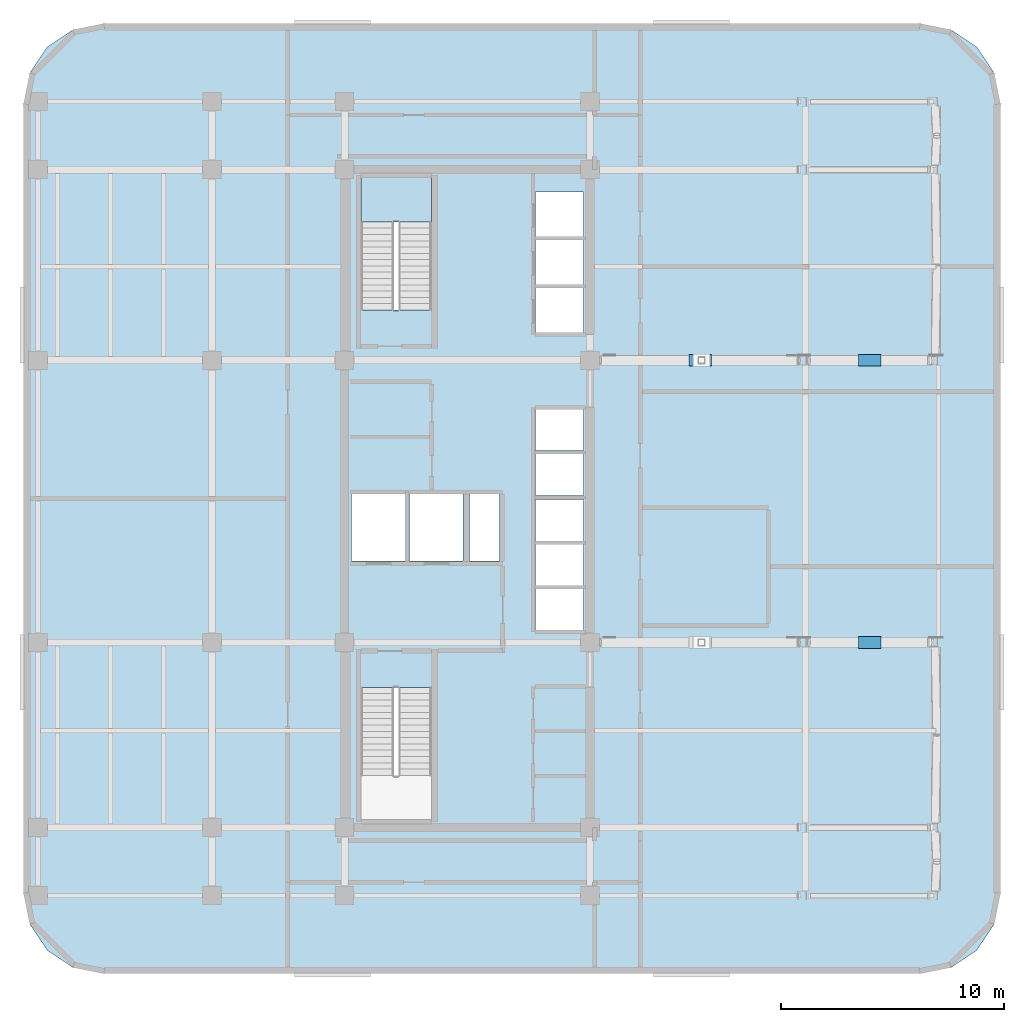
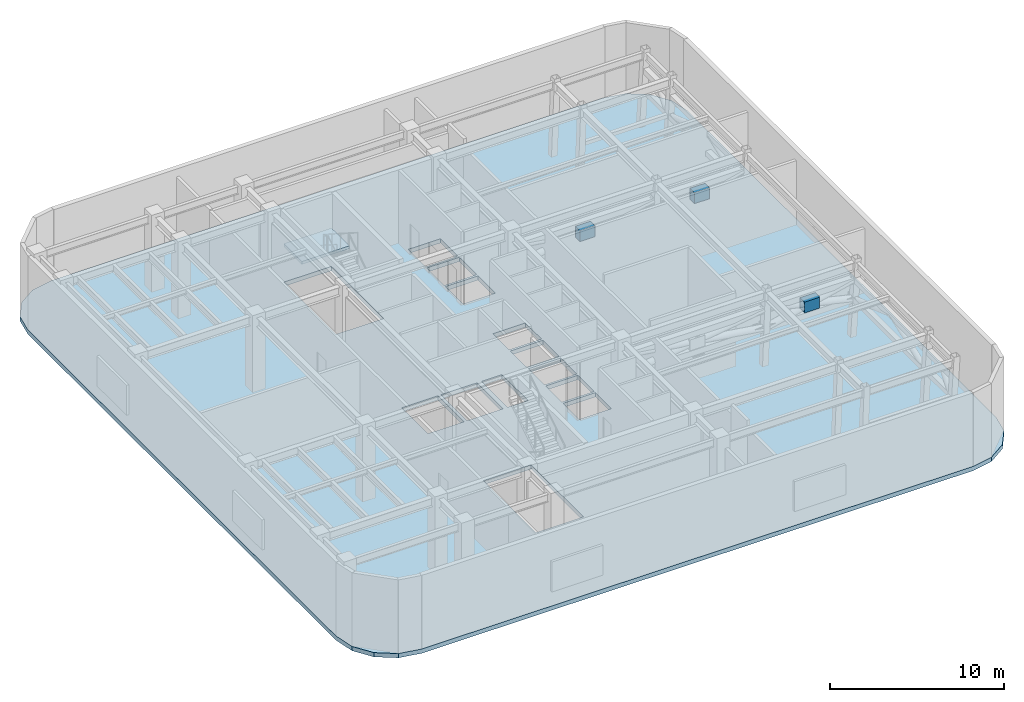
# One storey, part 4 of 12: 3 plates, 2 slabs, 1 element without a shape of its own.
"""IFC4 building model written with IfcOpenShell, lengths in metres."""

from ifc_helpers import new_model, si_unit, direction, frame, origin, origin_2d, place, context, subcontext, project, spatial, polyline, rectangle, outline, extrude, material, layer, layer_set, type_object, element, aggregate, save


model = new_model("IFC4")

# Units and contexts
model_context = context("Model", 3, precision=1e-05, world=origin(), true_north=direction((0.0, 1.0)))
body_context = subcontext(model_context, "Body", "Model", "MODEL_VIEW")
ifc_project = project(units=[si_unit("LENGTHUNIT", "METRE"), si_unit("AREAUNIT", "SQUARE_METRE"), si_unit("VOLUMEUNIT", "CUBIC_METRE"), si_unit("PLANEANGLEUNIT", "RADIAN"), si_unit("MASSUNIT", "GRAM", prefix="KILO")], contexts=[model_context])

# Site, building, storey
site_placement = place(None, origin())
site = spatial("IfcSite", under=ifc_project, at=site_placement, CompositionType="ELEMENT")
building_placement = place(site_placement, origin())
building = spatial("IfcBuilding", under=site, at=building_placement, Name="Ochreholt Gables", CompositionType="ELEMENT")
storey_placement = place(building_placement, frame((0.0, 0.0, 135.60009765625)))
storey = spatial("IfcBuildingStorey", under=building, at=storey_placement, Name="L35", CompositionType="ELEMENT", Elevation=135.60009765625)

# Stair, slab
ifc_material_1 = material(Name="Concrete 40 MPa", Category="concrete")
stair_type = type_object("IfcStairType", Name="STAIR-CORE-ST-2", PredefinedType="HALF_TURN_STAIR", material=ifc_material_1)
stair_placement = place(storey_placement, origin())
stair = element("IfcStair", 1, at=stair_placement, inside=storey, type_object=stair_type, Name="L35 Core Exit Stair 2", PredefinedType="HALF_TURN_STAIR")
ifc_layer_1 = layer(ifc_material_1, 0.199951171875, Name="Concrete 40 MPa")
ifc_layer_set_1 = layer_set([ifc_layer_1], Name="Concrete 40 MPa")
slab_type_1 = type_object("IfcSlabType", Name="LANDING-RC200", PredefinedType="LANDING", material=ifc_layer_set_1)
slab_1_placement = place(storey_placement, frame((0.0, 0.0, 2.5)))
slab_1 = element("IfcSlab", 2, at=slab_1_placement, type_object=slab_type_1, Name="ST-2 landing 1", PredefinedType="LANDING", context=body_context, shape_type="SweptSolid", body=[
    extrude(outline(polyline([(28.080078125, 36.407958984375), (28.080078125, 38.47998046875), (24.919921875, 38.47998046875), (24.919921875, 36.407958984375), (28.080078125, 36.407958984375)])), origin(), (0.0, 0.0, 1.0), 0.199951171875),
])
aggregate(stair, [slab_1])

# Plates
ifc_material_2 = material(Name="Steel CSA G40.21 350W", Category="steel")
ifc_layer_2 = layer(ifc_material_2, 0.0380859375, Name="Steel CSA G40.21 350W")
ifc_layer_set_2 = layer_set([ifc_layer_2], Name="Steel CSA G40.21 350W")
plate_type = type_object("IfcPlateType", Name="PLT-GUSSET-38", PredefinedType="USERDEFINED", material=ifc_layer_set_2)
for number, where, z_axis, x_axis, name in (
    (3, (47.74169921875, 17.550048828125, 2.87548828125), (0.0, 0.0, 1.0), (1.0, 0.0, 0.0), "L35 Outrigger X-Brace Crossing Node Gusset S2"),
    (4, (40.134033203125, 30.199951171875, 2.87841796875), (0.0, 0.0, 1.0), (1.0, 0.0, 0.0), "L35 Outrigger X-Brace Crossing Node Gusset N1"),
    (5, (47.74169921875, 30.199951171875, 2.87548828125), (0.0, 0.0, 1.0), (1.0, 0.0, 0.0), "L35 Outrigger X-Brace Crossing Node Gusset N2"),
):
    element("IfcPlate", number, at=place(storey_placement, frame(where, z_axis=z_axis, x_axis=x_axis)), inside=storey, type_object=plate_type, Name=name, ObjectType="GUSSET PLATE", PredefinedType="USERDEFINED", context=body_context, shape_type="SweptSolid", body=[
        extrude(rectangle(XDim=1.0, YDim=0.52001953125, at=origin_2d()), origin(), (0.0, 0.0, 1.0), 0.760009765625),
    ])

# Slab
ifc_material_3 = material(Name="Concrete 50 MPa", Category="concrete")
ifc_layer_3 = layer(ifc_material_3, 0.300048828125, Name="Concrete 50 MPa")
ifc_layer_set_3 = layer_set([ifc_layer_3], Name="Concrete 50 MPa")
slab_type_2 = type_object("IfcSlabType", Name="SLAB-TRN-300", PredefinedType="FLOOR", material=ifc_layer_set_3)
slab_2_placement = place(storey_placement, frame((0.0, 0.0, -0.300048828125)))
element("IfcSlab", 6, at=slab_2_placement, inside=storey, type_object=slab_type_2, Name="L35 Structural Floor Slab", PredefinedType="FLOOR", context=body_context, shape_type="SweptSolid", body=[
    extrude(outline(polyline([(9.800048828125, 6.300048828125), (10.073974609375, 4.92236328125), (10.8544921875, 3.75439453125), (12.022216796875, 2.97412109375), (13.39990234375, 2.699951171875), (50.0, 2.699951171875), (51.377685546875, 2.97412109375), (52.545654296875, 3.75439453125), (53.325927734375, 4.92236328125), (53.60009765625, 6.300048828125), (53.60009765625, 41.699951171875), (53.325927734375, 43.07763671875), (52.545654296875, 44.24560546875), (51.377685546875, 45.02587890625), (50.0, 45.300048828125), (13.39990234375, 45.300048828125), (12.022216796875, 45.02587890625), (10.8544921875, 44.24560546875), (10.073974609375, 43.07763671875), (9.800048828125, 41.699951171875), (9.800048828125, 6.300048828125)]), holes=[polyline([(24.919921875, 15.539306640625), (24.919921875, 9.52001953125), (28.080078125, 9.52001953125), (28.080078125, 15.539306640625), (24.919921875, 15.539306640625)]), polyline([(28.080078125, 32.460693359375), (28.080078125, 38.47998046875), (24.919921875, 38.47998046875), (24.919921875, 32.460693359375), (28.080078125, 32.460693359375)]), polyline([(24.5, 21.199951171875), (26.89990234375, 21.199951171875), (26.89990234375, 24.199951171875), (24.5, 24.199951171875), (24.5, 21.199951171875)]), polyline([(27.10009765625, 21.199951171875), (29.5, 21.199951171875), (29.5, 24.199951171875), (27.10009765625, 24.199951171875), (27.10009765625, 21.199951171875)]), polyline([(32.75, 18.10009765625), (34.89990234375, 18.10009765625), (34.89990234375, 19.949951171875), (32.75, 19.949951171875), (32.75, 18.10009765625)]), polyline([(32.75, 20.10009765625), (34.89990234375, 20.10009765625), (34.89990234375, 21.949951171875), (32.75, 21.949951171875), (32.75, 20.10009765625)]), polyline([(32.75, 22.10009765625), (34.89990234375, 22.10009765625), (34.89990234375, 23.949951171875), (32.75, 23.949951171875), (32.75, 22.10009765625)]), polyline([(32.75, 24.14990234375), (34.89990234375, 24.14990234375), (34.89990234375, 26.0), (32.75, 26.0), (32.75, 24.14990234375)]), polyline([(32.75, 26.14990234375), (34.89990234375, 26.14990234375), (34.89990234375, 28.0), (32.75, 28.0), (32.75, 26.14990234375)]), polyline([(32.75, 31.449951171875), (34.89990234375, 31.449951171875), (34.89990234375, 33.449951171875), (32.75, 33.449951171875), (32.75, 31.449951171875)]), polyline([(32.75, 33.60009765625), (34.89990234375, 33.60009765625), (34.89990234375, 35.60009765625), (32.75, 35.60009765625), (32.75, 33.60009765625)]), polyline([(32.75, 35.75), (34.89990234375, 35.75), (34.89990234375, 37.75), (32.75, 37.75), (32.75, 35.75)]), polyline([(29.800048828125, 21.199951171875), (31.14990234375, 21.199951171875), (31.14990234375, 24.199951171875), (29.800048828125, 24.199951171875), (29.800048828125, 21.199951171875)])]), origin(), (0.0, 0.0, 1.0), 0.300048828125),
])

save(model, "model.ifc")
